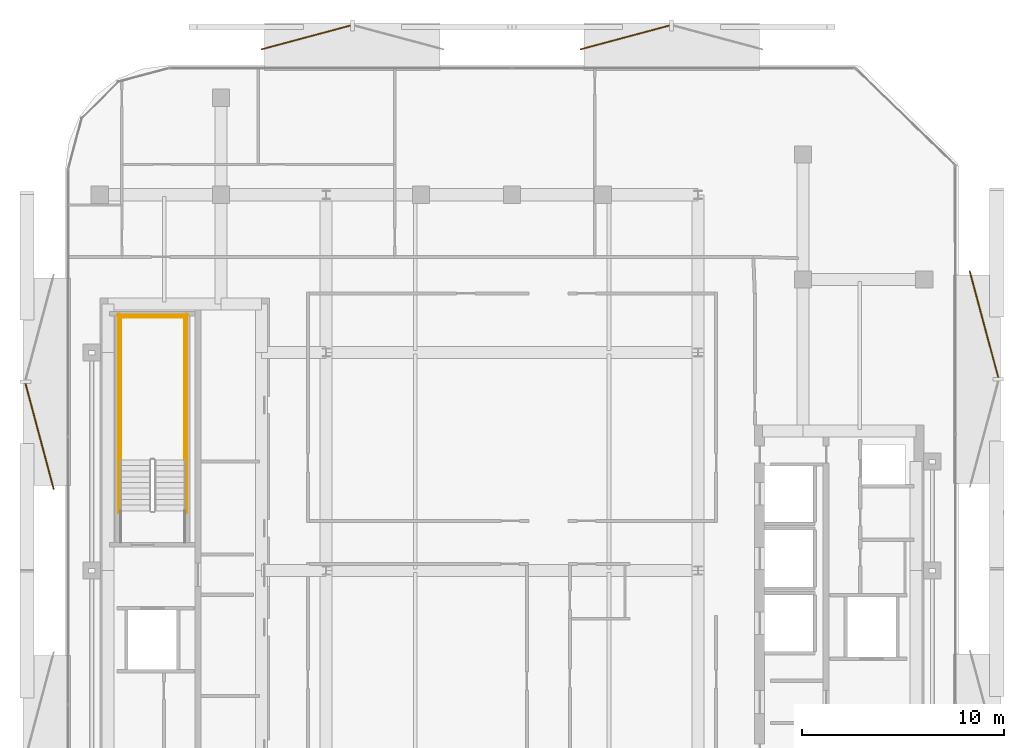
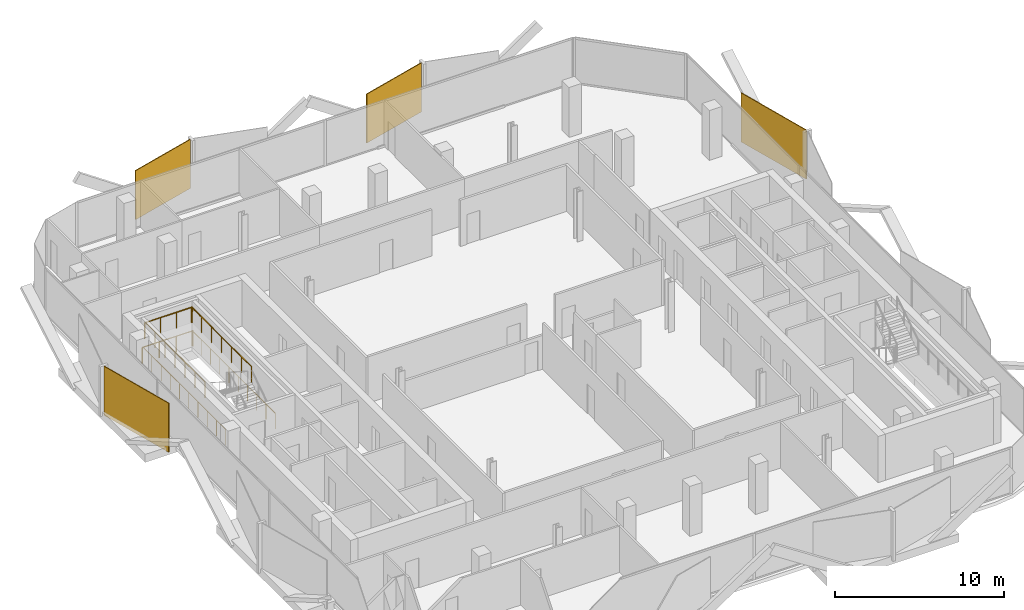
# One storey, part 14 of 14: 6 railings, 4 coverings.
"""IFC4 building model written with IfcOpenShell, lengths in metres."""

from ifc_helpers import new_model, si_unit, direction, frame, origin, origin_2d, place, context, subcontext, project, spatial, rectangle, circle, extrude, material, layer, layer_set, type_object, element, save


model = new_model("IFC4")

# Units and contexts
model_context = context("Model", 3, precision=1e-05, world=origin(), true_north=direction((0.0, 1.0)))
body_context = subcontext(model_context, "Body", "Model", "MODEL_VIEW")
ifc_project = project(units=[si_unit("LENGTHUNIT", "METRE"), si_unit("AREAUNIT", "SQUARE_METRE"), si_unit("VOLUMEUNIT", "CUBIC_METRE"), si_unit("PLANEANGLEUNIT", "RADIAN"), si_unit("MASSUNIT", "GRAM", prefix="KILO")], contexts=[model_context])

# Site, building, storey
site_placement = place(None, origin())
site = spatial("IfcSite", under=ifc_project, at=site_placement, CompositionType="ELEMENT")
building_placement = place(site_placement, origin())
building = spatial("IfcBuilding", under=site, at=building_placement, Name="Khairoan Windgate Tower", CompositionType="ELEMENT")
storey_placement = place(building_placement, frame((0.0, 0.0, 240.39990234375)))
storey = spatial("IfcBuildingStorey", under=building, at=storey_placement, Name="L56", CompositionType="ELEMENT", Elevation=240.39990234375)

# Coverings
ifc_material_1 = material(Name="Anodised Bronze Aluminium 6063-T6", Category="aluminium")
ifc_layer = layer(ifc_material_1, 0.054931640625, Name="Anodised Bronze Aluminium 6063-T6")
ifc_layer_set = layer_set([ifc_layer], Name="Anodised Bronze Aluminium 6063-T6")
covering_type = type_object("IfcCoveringType", Name="Perforated Bronze-Ceramic Folded Solar Screen Cladding BSC-1", PredefinedType="CLADDING", material=ifc_layer_set)
covering_1_placement = place(storey_placement, frame((-23.378662109375, 6.6376953125, -0.099853515625), z_axis=(0.0, 0.0, 1.0), x_axis=(-0.258819045103, 0.965925826289, 0.0)))
element("IfcCovering", 1, at=covering_1_placement, inside=storey, type_object=covering_type, Name="L56 Folded Bronze Solar Screen Facet 380L", PredefinedType="CLADDING", context=body_context, shape_type="SweptSolid", body=[
    extrude(rectangle(XDim=5.419921875, YDim=0.054931640625, at=origin_2d()), origin(), (0.0, 0.0, 1.0), 3.5400390625),
])
for number, where, z_axis, x_axis, name in (
    (2, (-10.197021484375, 26.387451171875, -0.099853515625), (0.0, 0.0, 1.0), (0.965925826289, 0.258819045103, 0.0), "L56 Folded Bronze Solar Screen Facet 381L"),
    (3, (5.593994140625, 26.387451171875, -0.099853515625), (0.0, 0.0, 1.0), (0.965925826289, 0.258819045103, 0.0), "L56 Folded Bronze Solar Screen Facet 382L"),
):
    element("IfcCovering", number, at=place(storey_placement, frame(where, z_axis=z_axis, x_axis=x_axis)), inside=storey, type_object=covering_type, Name=name, PredefinedType="CLADDING", context=body_context, shape_type="SweptSolid", body=[
        extrude(rectangle(XDim=4.5791015625, YDim=0.054931640625, at=origin_2d()), origin(), (0.0, 0.0, 1.0), 3.5400390625),
    ])
covering_2_placement = place(storey_placement, frame((23.356689453125, 12.197021484375, -0.099853515625), z_axis=(0.0, 0.0, 1.0), x_axis=(0.259324767181, -0.965790176553, 0.0)))
element("IfcCovering", 4, at=covering_2_placement, inside=storey, type_object=covering_type, Name="L56 Folded Bronze Solar Screen Facet 383L", PredefinedType="CLADDING", context=body_context, shape_type="SweptSolid", body=[
    extrude(rectangle(XDim=5.446044921875, YDim=0.054931640625, at=origin_2d()), origin(), (0.0, 0.0, 1.0), 3.5400390625),
])

# Railings
ifc_material_2 = material(Name="Steel S355", Category="steel")
railing_type = type_object("IfcRailingType", Name="Stairwell Safety Guardrail SGR-1150", PredefinedType="GUARDRAIL", material=ifc_material_2)
for number, where, name in (
    (5, (-16.199951171875, 5.47998046875, 1.800048828125), "L56 ST2 stair guard 3"),
    (6, (-19.3701171875, 5.47998046875, 1.800048828125), "L56 ST2 stair guard 4"),
):
    element("IfcRailing", number, at=place(storey_placement, frame(where)), inside=storey, type_object=railing_type, Name=name, PredefinedType="GUARDRAIL", context=body_context, shape_type="SweptSolid", body=[
        extrude(circle(Radius=0.02392578125, at=origin_2d()), frame((0.0, 0.0, 1.1259765625), z_axis=(0.0, 1.0, 0.0), x_axis=(-1.0, 0.0, 0.0)), (0.0, 0.0, 1.0), 7.1201171875),
        extrude(circle(Radius=0.02099609375, at=origin_2d()), origin(), (0.0, 0.0, 1.0), 1.101806640625),
        extrude(circle(Radius=0.02099609375, at=origin_2d()), frame((0.0, 1.186767578125, 0.0)), (0.0, 0.0, 1.0), 1.101806640625),
        extrude(circle(Radius=0.02099609375, at=origin_2d()), frame((0.0, 2.373291015625, 0.0)), (0.0, 0.0, 1.0), 1.101806640625),
        extrude(circle(Radius=0.02099609375, at=origin_2d()), frame((0.0, 3.56005859375, 0.0)), (0.0, 0.0, 1.0), 1.101806640625),
        extrude(circle(Radius=0.02099609375, at=origin_2d()), frame((0.0, 4.746826171875, 0.0)), (0.0, 0.0, 1.0), 1.101806640625),
        extrude(circle(Radius=0.02099609375, at=origin_2d()), frame((0.0, 5.933349609375, 0.0)), (0.0, 0.0, 1.0), 1.101806640625),
        extrude(circle(Radius=0.02099609375, at=origin_2d()), frame((0.0, 7.1201171875, 0.0)), (0.0, 0.0, 1.0), 1.101806640625),
    ])
railing_1_placement = place(storey_placement, frame((-16.14990234375, 12.550048828125, 1.800048828125)))
element("IfcRailing", 7, at=railing_1_placement, inside=storey, type_object=railing_type, Name="L56 ST2 stair guard 5", PredefinedType="GUARDRAIL", context=body_context, shape_type="SweptSolid", body=[
    extrude(circle(Radius=0.02392578125, at=origin_2d()), frame((0.0, 0.0, 1.1259765625), z_axis=(-1.0, 0.0, 0.0), x_axis=(0.0, -1.0, 0.0)), (0.0, 0.0, 1.0), 3.27001953125),
    extrude(circle(Radius=0.02099609375, at=origin_2d()), origin(), (0.0, 0.0, 1.0), 1.101806640625),
    extrude(circle(Radius=0.02099609375, at=origin_2d()), frame((-1.090087890625, 0.0, 0.0)), (0.0, 0.0, 1.0), 1.101806640625),
    extrude(circle(Radius=0.02099609375, at=origin_2d()), frame((-2.179931640625, 0.0, 0.0)), (0.0, 0.0, 1.0), 1.101806640625),
    extrude(circle(Radius=0.02099609375, at=origin_2d()), frame((-3.27001953125, 0.0, 0.0)), (0.0, 0.0, 1.0), 1.101806640625),
])
for number, where, name in (
    (8, (-16.10009765625, 2.860107421875, 0.0), "L56 ST2 stair guard 10"),
    (9, (-19.469970703125, 2.860107421875, 0.0), "L56 ST2 stair guard 11"),
):
    element("IfcRailing", number, at=place(storey_placement, frame(where)), inside=storey, type_object=railing_type, Name=name, PredefinedType="GUARDRAIL", context=body_context, shape_type="SweptSolid", body=[
        extrude(circle(Radius=0.02392578125, at=origin_2d()), frame((0.0, 0.0, 1.1259765625), z_axis=(0.0, 1.0, 0.0), x_axis=(-1.0, 0.0, 0.0)), (0.0, 0.0, 1.0), 9.83984375),
        extrude(circle(Radius=0.02099609375, at=origin_2d()), origin(), (0.0, 0.0, 1.0), 1.101806640625),
        extrude(circle(Radius=0.02099609375, at=origin_2d()), frame((0.0, 1.09326171875, 0.0)), (0.0, 0.0, 1.0), 1.101806640625),
        extrude(circle(Radius=0.02099609375, at=origin_2d()), frame((0.0, 2.1865234375, 0.0)), (0.0, 0.0, 1.0), 1.101806640625),
        extrude(circle(Radius=0.02099609375, at=origin_2d()), frame((0.0, 3.280029296875, 0.0)), (0.0, 0.0, 1.0), 1.101806640625),
        extrude(circle(Radius=0.02099609375, at=origin_2d()), frame((0.0, 4.373291015625, 0.0)), (0.0, 0.0, 1.0), 1.101806640625),
        extrude(circle(Radius=0.02099609375, at=origin_2d()), frame((0.0, 5.466552734375, 0.0)), (0.0, 0.0, 1.0), 1.101806640625),
        extrude(circle(Radius=0.02099609375, at=origin_2d()), frame((0.0, 6.559814453125, 0.0)), (0.0, 0.0, 1.0), 1.101806640625),
        extrude(circle(Radius=0.02099609375, at=origin_2d()), frame((0.0, 7.6533203125, 0.0)), (0.0, 0.0, 1.0), 1.101806640625),
        extrude(circle(Radius=0.02099609375, at=origin_2d()), frame((0.0, 8.74658203125, 0.0)), (0.0, 0.0, 1.0), 1.101806640625),
        extrude(circle(Radius=0.02099609375, at=origin_2d()), frame((0.0, 9.83984375, 0.0)), (0.0, 0.0, 1.0), 1.101806640625),
    ])
railing_2_placement = place(storey_placement, frame((-16.050048828125, 12.64990234375, 0.0)))
element("IfcRailing", 10, at=railing_2_placement, inside=storey, type_object=railing_type, Name="L56 ST2 stair guard 12", PredefinedType="GUARDRAIL", context=body_context, shape_type="SweptSolid", body=[
    extrude(circle(Radius=0.02392578125, at=origin_2d()), frame((0.0, 0.0, 1.1259765625), z_axis=(-1.0, 0.0, 0.0), x_axis=(0.0, -1.0, 0.0)), (0.0, 0.0, 1.0), 3.469970703125),
    extrude(circle(Radius=0.02099609375, at=origin_2d()), origin(), (0.0, 0.0, 1.0), 1.101806640625),
    extrude(circle(Radius=0.02099609375, at=origin_2d()), frame((-1.15673828125, 0.0, 0.0)), (0.0, 0.0, 1.0), 1.101806640625),
    extrude(circle(Radius=0.02099609375, at=origin_2d()), frame((-2.313232421875, 0.0, 0.0)), (0.0, 0.0, 1.0), 1.101806640625),
    extrude(circle(Radius=0.02099609375, at=origin_2d()), frame((-3.469970703125, 0.0, 0.0)), (0.0, 0.0, 1.0), 1.101806640625),
])

save(model, "model.ifc")
